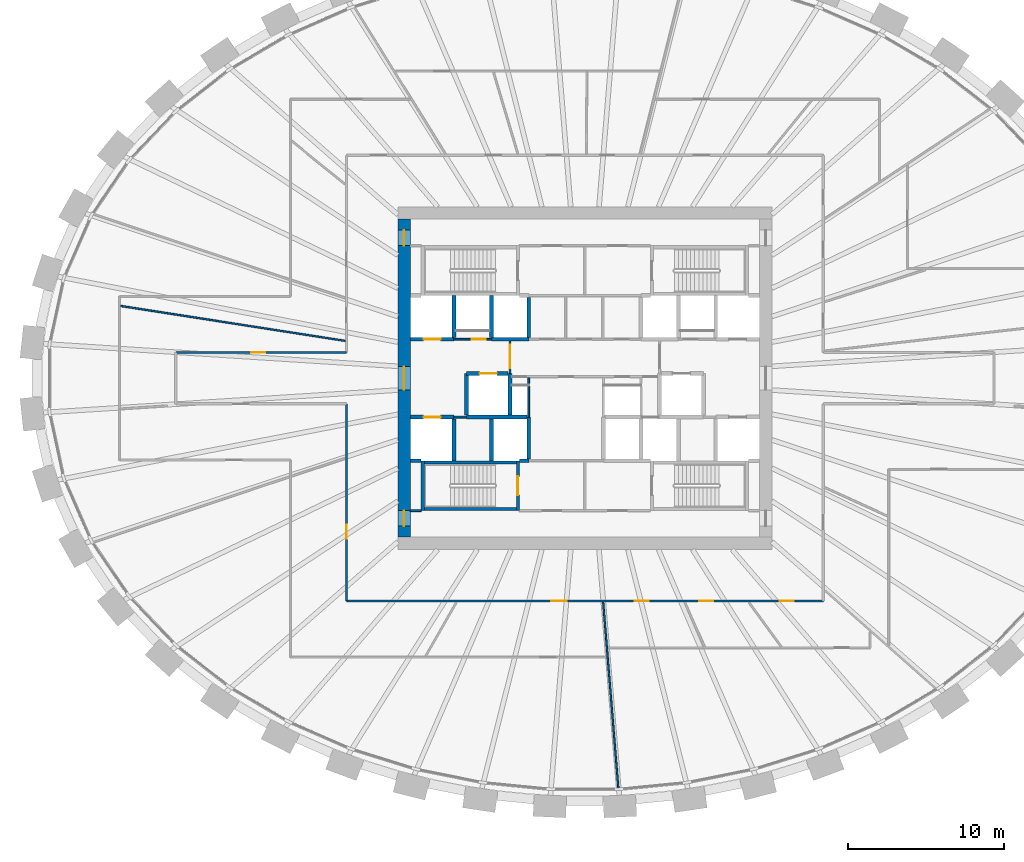
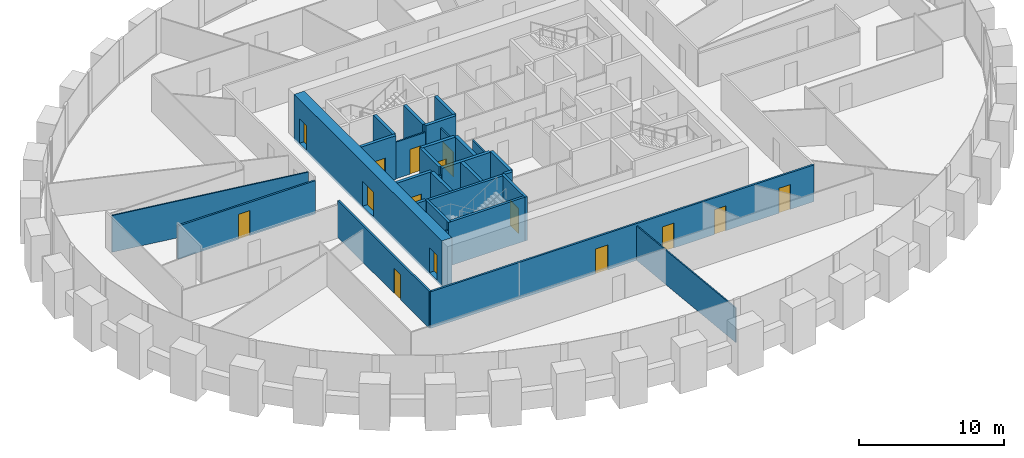
# One storey, part 6 of 11: 30 walls, 15 doors, 15 openings.
"""IFC4 building model written with IfcOpenShell, lengths in metres."""

from ifc_helpers import new_model, si_unit, direction, frame, frame_2d, origin, place, context, subcontext, project, spatial, rectangle, extrude, source, transform, mapped, material, layer, layer_set, type_object, element, fill, save


model = new_model("IFC4")

# Units and contexts
model_context = context("Model", 3, precision=1e-05, world=origin(), true_north=direction((0.0, 1.0)))
body_context = subcontext(model_context, "Body", "Model", "MODEL_VIEW")
ifc_project = project(units=[si_unit("LENGTHUNIT", "METRE"), si_unit("AREAUNIT", "SQUARE_METRE"), si_unit("VOLUMEUNIT", "CUBIC_METRE"), si_unit("PLANEANGLEUNIT", "RADIAN"), si_unit("MASSUNIT", "GRAM", prefix="KILO")], contexts=[model_context])

# Site, building, storey
site_placement = place(None, origin())
site = spatial("IfcSite", under=ifc_project, at=site_placement, CompositionType="ELEMENT")
building_placement = place(site_placement, origin())
building = spatial("IfcBuilding", under=site, at=building_placement, Name="Embergate Tower", CompositionType="ELEMENT")
storey_placement = place(building_placement, frame((0.0, 0.0, 211.199951171875)))
storey = spatial("IfcBuildingStorey", under=building, at=storey_placement, Name="L48", CompositionType="ELEMENT", Elevation=211.199951171875)

# Wall, openings, doors
ifc_material_1 = material(Name="Concrete C70", Category="concrete")
ifc_layer_1 = layer(ifc_material_1, 0.800048828125)
ifc_layer_set_1 = layer_set([ifc_layer_1], Name="Concrete C70")
wall_type_1 = type_object("IfcWallType", Name="Core outer wall C70 800", PredefinedType="SHEAR", material=ifc_layer_set_1)
shared_shape_1 = source(origin(), body_context, "Body", "SweptSolid", [
    extrude(rectangle(XDim=20.39990234375, YDim=0.800048828125, at=frame_2d((10.199951171875, 0.0))), origin(), (0.0, 0.0, 1.0), 3.89990234375),
])
wall_1_placement = place(storey_placement, frame((-11.60009765625, -10.199951171875, -0.199951171875), z_axis=(0.0, 0.0, 1.0), x_axis=(0.0, 1.0, 0.0)))
wall_1 = element("IfcWall", 1, at=wall_1_placement, inside=storey, type_object=wall_type_1, Name="CW-L48-W", PredefinedType="SHEAR", context=body_context, shape_type="MappedRepresentation", body=[
    mapped(shared_shape_1, transform((0.0, 0.0, 0.0))),
])
shared_shape_2 = source(origin(), body_context, "Body", "SweptSolid", [
    extrude(rectangle(XDim=1.0, YDim=2.10009765625, at=frame_2d((0.5, 1.050048828125))), frame((0.0, 0.409912109375, 0.0), z_axis=(0.0, -1.0, 0.0), x_axis=(1.0, 0.0, 0.0)), (0.0, 0.0, 1.0), 0.820068359375),
])
opening_1_placement = place(wall_1_placement, frame((18.699951171875, 0.0, 0.199951171875)))
opening_1 = element("IfcOpeningElement", 2, at=opening_1_placement, cuts=wall_1, Name="Opening IF-1d", PredefinedType="OPENING", context=body_context, shape_type="MappedRepresentation", body=[
    mapped(shared_shape_2, transform((0.0, 0.0, 0.0))),
])
opening_2_placement = place(wall_1_placement, frame((0.699951171875, 0.0, 0.199951171875)))
opening_2 = element("IfcOpeningElement", 3, at=opening_2_placement, cuts=wall_1, Name="Opening IF-1d", PredefinedType="OPENING", context=body_context, shape_type="MappedRepresentation", body=[
    mapped(shared_shape_2, transform((0.0, 0.0, 0.0))),
])
shared_shape_3 = source(origin(), body_context, "Body", "SweptSolid", [
    extrude(rectangle(XDim=1.5, YDim=2.10009765625, at=frame_2d((0.75, 1.050048828125))), frame((0.0, 0.409912109375, 0.0), z_axis=(0.0, -1.0, 0.0), x_axis=(1.0, 0.0, 0.0)), (0.0, 0.0, 1.0), 0.820068359375),
])
opening_3_placement = place(wall_1_placement, frame((9.449951171875, 0.0, 0.199951171875)))
opening_3 = element("IfcOpeningElement", 4, at=opening_3_placement, cuts=wall_1, Name="Opening IF-3", PredefinedType="OPENING", context=body_context, shape_type="MappedRepresentation", body=[
    mapped(shared_shape_3, transform((0.0, 0.0, 0.0))),
])
ifc_material_2 = material(Name="Lobby fire door pair 1500")
door_type_1 = type_object("IfcDoorType", Name="Lobby fire door pair 1500", OperationType="DOUBLE_DOOR_SINGLE_SWING", PredefinedType="DOOR", material=ifc_material_2)
shared_shape_4 = source(origin(), body_context, "Body", "SweptSolid", [
    extrude(rectangle(XDim=1.5, YDim=2.10009765625, at=frame_2d((0.75, 1.050048828125))), frame((0.0, 0.02490234375, 0.0), z_axis=(0.0, -1.0, 0.0), x_axis=(1.0, 0.0, 0.0)), (0.0, 0.0, 1.0), 0.050048828125),
])
door_1_placement = place(opening_3_placement, origin())
door_1 = element("IfcDoor", 5, at=door_1_placement, inside=storey, type_object=door_type_1, Name="IF-3 door", OperationType="DOUBLE_DOOR_SINGLE_SWING", OverallHeight=2.10009765625, OverallWidth=1.5, PredefinedType="DOOR", context=body_context, shape_type="MappedRepresentation", body=[
    mapped(shared_shape_4, transform((0.0, 0.0, 0.0))),
])
fill(opening_3, door_1)
ifc_material_3 = material(Name="Escape fire door 1000")
door_type_2 = type_object("IfcDoorType", Name="Escape fire door 1000", OperationType="SINGLE_SWING_LEFT", PredefinedType="DOOR", material=ifc_material_3)
shared_shape_5 = source(origin(), body_context, "Body", "SweptSolid", [
    extrude(rectangle(XDim=1.0, YDim=2.10009765625, at=frame_2d((0.5, 1.050048828125))), frame((0.0, 0.02490234375, 0.0), z_axis=(0.0, -1.0, 0.0), x_axis=(1.0, 0.0, 0.0)), (0.0, 0.0, 1.0), 0.050048828125),
])
door_2_placement = place(opening_1_placement, origin())
door_2 = element("IfcDoor", 6, at=door_2_placement, inside=storey, type_object=door_type_2, Name="IF-1 door", OperationType="SINGLE_SWING_RIGHT", OverallHeight=2.10009765625, OverallWidth=1.0, PredefinedType="DOOR", context=body_context, shape_type="MappedRepresentation", body=[
    mapped(shared_shape_5, transform((0.0, 0.0, 0.0))),
])
fill(opening_1, door_2)
door_3_placement = place(opening_2_placement, origin())
door_3 = element("IfcDoor", 7, at=door_3_placement, inside=storey, type_object=door_type_2, Name="IF-1 door", OperationType="SINGLE_SWING_LEFT", OverallHeight=2.10009765625, OverallWidth=1.0, PredefinedType="DOOR", context=body_context, shape_type="MappedRepresentation", body=[
    mapped(shared_shape_5, transform((0.0, 0.0, 0.0))),
])
fill(opening_2, door_3)

# Walls
ifc_material_4 = material(Name="Concrete C50", Category="concrete")
ifc_layer_2 = layer(ifc_material_4, 0.25)
ifc_layer_set_2 = layer_set([ifc_layer_2], Name="Concrete C50")
wall_type_2 = type_object("IfcWallType", Name="Hoistway wall reinforced concrete 250", PredefinedType="SHEAR", material=ifc_layer_set_2)
shared_shape_6 = source(origin(), body_context, "Body", "SweptSolid", [
    extrude(rectangle(XDim=2.675048828125, YDim=0.25, at=frame_2d((1.33740234375, 0.0))), origin(), (0.0, 0.0, 1.0), 3.699951171875),
])
for number, where, z_axis, x_axis, name in (
    (8, (-8.39990234375, 2.625, 0.0), (0.0, 0.0, 1.0), (0.0, 1.0, 0.0), "HW-1 wall"),
    (9, (-6.0, 2.625, 0.0), (0.0, 0.0, 1.0), (0.0, 1.0, 0.0), "HW-1 wall"),
    (10, (-3.60009765625, -5.175048828125, 0.0), (0.0, 0.0, 1.0), (0.0, 1.0, 0.0), "HW-1 wall"),
    (11, (-4.800048828125, 0.300048828125, 0.0), (0.0, 0.0, 1.0), (0.0, -1.0, 0.0), "HW-1 wall"),
):
    element("IfcWall", number, at=place(storey_placement, frame(where, z_axis=z_axis, x_axis=x_axis)), inside=storey, type_object=wall_type_2, Name=name, PredefinedType="SHEAR", context=body_context, shape_type="MappedRepresentation", body=[
        mapped(shared_shape_6, transform((0.0, 0.0, 0.0))),
    ])

# Wall, opening, door
wall_2_placement = place(storey_placement, frame((-4.925048828125, 0.300048828125, 0.0), z_axis=(0.0, 0.0, 1.0), x_axis=(-1.0, 0.0, 0.0)))
wall_2 = element("IfcWall", 12, at=wall_2_placement, inside=storey, type_object=wall_type_2, Name="HW-1 wall", PredefinedType="SHEAR", context=body_context, shape_type="MappedRepresentation", body=[
    mapped(shared_shape_6, transform((0.0, 0.0, 0.0))),
])
shared_shape_7 = source(origin(), body_context, "Body", "SweptSolid", [
    extrude(rectangle(XDim=1.10009765625, YDim=2.10009765625, at=frame_2d((0.550048828125, 1.050048828125))), frame((0.0, 0.135009765625, 0.0), z_axis=(0.0, -1.0, 0.0), x_axis=(1.0, 0.0, 0.0)), (0.0, 0.0, 1.0), 0.27001953125),
])
opening_4_placement = place(wall_2_placement, frame((0.72509765625, 0.0, 0.0)))
opening_4 = element("IfcOpeningElement", 13, at=opening_4_placement, cuts=wall_2, Name="Opening LD", PredefinedType="OPENING", context=body_context, shape_type="MappedRepresentation", body=[
    mapped(shared_shape_7, transform((0.0, 0.0, 0.0))),
])
ifc_material_5 = material(Name="Landing door sliding 1100")
door_type_3 = type_object("IfcDoorType", Name="Landing door sliding 1100", OperationType="SLIDING_TO_LEFT", PredefinedType="DOOR", material=ifc_material_5)
shared_shape_8 = source(origin(), body_context, "Body", "SweptSolid", [
    extrude(rectangle(XDim=1.10009765625, YDim=2.10009765625, at=frame_2d((0.550048828125, 1.050048828125))), frame((0.0, 0.02490234375, 0.0), z_axis=(0.0, -1.0, 0.0), x_axis=(1.0, 0.0, 0.0)), (0.0, 0.0, 1.0), 0.050048828125),
])
door_4_placement = place(opening_4_placement, origin())
door_4 = element("IfcDoor", 14, at=door_4_placement, inside=storey, type_object=door_type_3, Name="LD door", OperationType="SLIDING_TO_LEFT", OverallHeight=2.10009765625, OverallWidth=1.10009765625, PredefinedType="DOOR", context=body_context, shape_type="MappedRepresentation", body=[
    mapped(shared_shape_8, transform((0.0, 0.0, 0.0))),
])
fill(opening_4, door_4)

# Walls
wall_3_placement = place(storey_placement, frame((-7.60009765625, 0.300048828125, 0.0), z_axis=(0.0, 0.0, 1.0), x_axis=(0.0, -1.0, 0.0)))
element("IfcWall", 15, at=wall_3_placement, inside=storey, type_object=wall_type_2, Name="HW-1 wall", PredefinedType="SHEAR", context=body_context, shape_type="MappedRepresentation", body=[
    mapped(shared_shape_6, transform((0.0, 0.0, 0.0))),
])
ifc_layer_3 = layer(ifc_material_4, 0.199951171875)
ifc_layer_set_3 = layer_set([ifc_layer_3], Name="Concrete C50")
wall_type_3 = type_object("IfcWallType", Name="Stair enclosure wall reinforced concrete 250", PredefinedType="SHEAR", material=ifc_layer_set_3)
shared_shape_9 = source(origin(), body_context, "Body", "SweptSolid", [
    extrude(rectangle(XDim=6.300048828125, YDim=0.199951171875, at=frame_2d((3.14990234375, 0.0))), origin(), (0.0, 0.0, 1.0), 3.699951171875),
])
for number, where, z_axis, x_axis, name in (
    (16, (-10.5, -5.39990234375, 0.0), (0.0, 0.0, 1.0), (1.0, 0.0, 0.0), "SE-1 wall"),
    (17, (-10.5, -8.39990234375, 0.0), (0.0, 0.0, 1.0), (1.0, 0.0, 0.0), "SE-1 wall"),
):
    element("IfcWall", number, at=place(storey_placement, frame(where, z_axis=z_axis, x_axis=x_axis)), inside=storey, type_object=wall_type_3, Name=name, PredefinedType="SHEAR", context=body_context, shape_type="MappedRepresentation", body=[
        mapped(shared_shape_9, transform((0.0, 0.0, 0.0))),
    ])
shared_shape_10 = source(origin(), body_context, "Body", "SweptSolid", [
    extrude(rectangle(XDim=2.550048828125, YDim=0.25, at=frame_2d((1.27490234375, 0.0))), origin(), (0.0, 0.0, 1.0), 3.699951171875),
])
wall_4_placement = place(storey_placement, frame((-3.60009765625, 2.625, 0.0), z_axis=(0.0, 0.0, 1.0), x_axis=(0.0, 1.0, 0.0)))
element("IfcWall", 18, at=wall_4_placement, inside=storey, type_object=wall_type_2, Name="HW-1 wall", PredefinedType="SHEAR", context=body_context, shape_type="MappedRepresentation", body=[
    mapped(shared_shape_10, transform((0.0, 0.0, 0.0))),
])

# Wall, opening, door
ifc_material_6 = material(Name="Core partition blockwork 120")
ifc_layer_4 = layer(ifc_material_6, 0.1201171875)
ifc_layer_set_4 = layer_set([ifc_layer_4], Name="Core partition blockwork 120")
wall_type_4 = type_object("IfcWallType", Name="Core partition blockwork 120", PredefinedType="PARTITIONING", material=ifc_layer_set_4)
shared_shape_11 = source(origin(), body_context, "Body", "SweptSolid", [
    extrude(rectangle(XDim=2.074951171875, YDim=0.1201171875, at=frame_2d((1.03759765625, 0.0))), origin(), (0.0, 0.0, 1.0), 3.10009765625),
])
wall_5_placement = place(storey_placement, frame((-4.800048828125, 2.375, 0.0), z_axis=(0.0, 0.0, 1.0), x_axis=(0.0, -1.0, 0.0)))
wall_5 = element("IfcWall", 19, at=wall_5_placement, inside=storey, type_object=wall_type_4, Name="IP-3 wall", PredefinedType="PARTITIONING", context=body_context, shape_type="MappedRepresentation", body=[
    mapped(shared_shape_11, transform((0.0, 0.0, 0.0))),
])
shared_shape_12 = source(origin(), body_context, "Body", "SweptSolid", [
    extrude(rectangle(XDim=1.5, YDim=2.10009765625, at=frame_2d((0.75, 1.050048828125))), frame((0.0, 0.070068359375, 0.0), z_axis=(0.0, -1.0, 0.0), x_axis=(1.0, 0.0, 0.0)), (0.0, 0.0, 1.0), 0.14013671875),
])
opening_5_placement = place(wall_5_placement, frame((0.22509765625, 0.0, 0.0)))
opening_5 = element("IfcOpeningElement", 20, at=opening_5_placement, cuts=wall_5, Name="Opening IF-3", PredefinedType="OPENING", context=body_context, shape_type="MappedRepresentation", body=[
    mapped(shared_shape_12, transform((0.0, 0.0, 0.0))),
])
door_5_placement = place(opening_5_placement, origin())
door_5 = element("IfcDoor", 21, at=door_5_placement, inside=storey, type_object=door_type_1, Name="IF-3 door", OperationType="DOUBLE_DOOR_SINGLE_SWING", OverallHeight=2.10009765625, OverallWidth=1.5, PredefinedType="DOOR", context=body_context, shape_type="MappedRepresentation", body=[
    mapped(shared_shape_4, transform((0.0, 0.0, 0.0))),
])
fill(opening_5, door_5)

shared_shape_13 = source(origin(), body_context, "Body", "SweptSolid", [
    extrude(rectangle(XDim=3.199951171875, YDim=0.199951171875, at=frame_2d((1.60009765625, 0.0))), origin(), (0.0, 0.0, 1.0), 3.699951171875),
])
wall_6_placement = place(storey_placement, frame((-4.300048828125, -8.5, 0.0), z_axis=(0.0, 0.0, 1.0), x_axis=(0.0, 1.0, 0.0)))
wall_6 = element("IfcWall", 22, at=wall_6_placement, inside=storey, type_object=wall_type_3, Name="SE-1 wall", PredefinedType="SHEAR", context=body_context, shape_type="MappedRepresentation", body=[
    mapped(shared_shape_13, transform((0.0, 0.0, 0.0))),
])
shared_shape_14 = source(origin(), body_context, "Body", "SweptSolid", [
    extrude(rectangle(XDim=1.199951171875, YDim=2.10009765625, at=frame_2d((0.60009765625, 1.050048828125))), frame((0.0, 0.10986328125, 0.0), z_axis=(0.0, -1.0, 0.0), x_axis=(1.0, 0.0, 0.0)), (0.0, 0.0, 1.0), 0.219970703125),
])
opening_6_placement = place(wall_6_placement, frame((1.0, 0.0, 0.0)))
opening_6 = element("IfcOpeningElement", 23, at=opening_6_placement, cuts=wall_6, Name="Opening IF-2", PredefinedType="OPENING", context=body_context, shape_type="MappedRepresentation", body=[
    mapped(shared_shape_14, transform((0.0, 0.0, 0.0))),
])
ifc_material_7 = material(Name="Stair enclosure door 1200")
door_type_4 = type_object("IfcDoorType", Name="Stair enclosure door 1200", OperationType="SINGLE_SWING_LEFT", PredefinedType="DOOR", material=ifc_material_7)
shared_shape_15 = source(origin(), body_context, "Body", "SweptSolid", [
    extrude(rectangle(XDim=1.199951171875, YDim=2.10009765625, at=frame_2d((0.60009765625, 1.050048828125))), frame((0.0, 0.02490234375, 0.0), z_axis=(0.0, -1.0, 0.0), x_axis=(1.0, 0.0, 0.0)), (0.0, 0.0, 1.0), 0.050048828125),
])
door_6_placement = place(opening_6_placement, origin())
door_6 = element("IfcDoor", 24, at=door_6_placement, inside=storey, type_object=door_type_4, Name="IF-2 door", OperationType="SINGLE_SWING_LEFT", OverallHeight=2.10009765625, OverallWidth=1.199951171875, PredefinedType="DOOR", context=body_context, shape_type="MappedRepresentation", body=[
    mapped(shared_shape_15, transform((0.0, 0.0, 0.0))),
])
fill(opening_6, door_6)

# Wall
shared_shape_16 = source(origin(), body_context, "Body", "SweptSolid", [
    extrude(rectangle(XDim=2.39990234375, YDim=0.25, at=frame_2d((1.199951171875, 0.0))), origin(), (0.0, 0.0, 1.0), 3.699951171875),
])
wall_7_placement = place(storey_placement, frame((-6.0, 2.5, 0.0), z_axis=(0.0, 0.0, 1.0), x_axis=(1.0, 0.0, 0.0)))
element("IfcWall", 25, at=wall_7_placement, inside=storey, type_object=wall_type_2, Name="HW-1 wall", PredefinedType="SHEAR", context=body_context, shape_type="MappedRepresentation", body=[
    mapped(shared_shape_16, transform((0.0, 0.0, 0.0))),
])

# Wall, opening, door
ifc_material_8 = material(Name="Corridor wall dry-lined 150")
ifc_layer_5 = layer(ifc_material_8, 0.14990234375)
ifc_layer_set_5 = layer_set([ifc_layer_5], Name="Corridor wall dry-lined 150")
wall_type_5 = type_object("IfcWallType", Name="Corridor wall dry-lined 150", PredefinedType="PARTITIONING", material=ifc_layer_set_5)
shared_shape_17 = source(origin(), body_context, "Body", "SweptSolid", [
    extrude(rectangle(XDim=10.949951171875, YDim=0.14990234375, at=frame_2d((5.47509765625, 0.0))), origin(), (0.0, 0.0, 1.0), 2.800048828125),
])
wall_8_placement = place(storey_placement, frame((-15.300048828125, 1.64990234375, 0.0), z_axis=(0.0, 0.0, 1.0), x_axis=(-1.0, 0.0, 0.0)))
wall_8 = element("IfcWall", 26, at=wall_8_placement, inside=storey, type_object=wall_type_5, Name="IP-2 wall", PredefinedType="PARTITIONING", context=body_context, shape_type="MappedRepresentation", body=[
    mapped(shared_shape_17, transform((0.0, 0.0, 0.0))),
])
shared_shape_18 = source(origin(), body_context, "Body", "SweptSolid", [
    extrude(rectangle(XDim=0.89990234375, YDim=2.10009765625, at=frame_2d((0.449951171875, 1.050048828125))), frame((0.0, 0.0849609375, 0.0), z_axis=(0.0, -1.0, 0.0), x_axis=(1.0, 0.0, 0.0)), (0.0, 0.0, 1.0), 0.169921875),
])
opening_7_placement = place(wall_8_placement, frame((5.214111328125, 0.0, 0.0)))
opening_7 = element("IfcOpeningElement", 27, at=opening_7_placement, cuts=wall_8, Name="Opening IF-1c", PredefinedType="OPENING", context=body_context, shape_type="MappedRepresentation", body=[
    mapped(shared_shape_18, transform((0.0, 0.0, 0.0))),
])
ifc_material_9 = material(Name="Escape fire door 900")
door_type_5 = type_object("IfcDoorType", Name="Escape fire door 900", OperationType="SINGLE_SWING_LEFT", PredefinedType="DOOR", material=ifc_material_9)
shared_shape_19 = source(origin(), body_context, "Body", "SweptSolid", [
    extrude(rectangle(XDim=0.89990234375, YDim=2.10009765625, at=frame_2d((0.449951171875, 1.050048828125))), frame((0.0, 0.02490234375, 0.0), z_axis=(0.0, -1.0, 0.0), x_axis=(1.0, 0.0, 0.0)), (0.0, 0.0, 1.0), 0.050048828125),
])
door_7_placement = place(opening_7_placement, origin())
door_7 = element("IfcDoor", 28, at=door_7_placement, inside=storey, type_object=door_type_5, Name="IF-1 door", OperationType="SINGLE_SWING_LEFT", OverallHeight=2.10009765625, OverallWidth=0.89990234375, PredefinedType="DOOR", context=body_context, shape_type="MappedRepresentation", body=[
    mapped(shared_shape_19, transform((0.0, 0.0, 0.0))),
])
fill(opening_7, door_7)

shared_shape_20 = source(origin(), body_context, "Body", "SweptSolid", [
    extrude(rectangle(XDim=2.800048828125, YDim=0.25, at=frame_2d((1.39990234375, 0.0))), origin(), (0.0, 0.0, 1.0), 3.699951171875),
])
wall_9_placement = place(storey_placement, frame((-11.199951171875, 2.5, 0.0), z_axis=(0.0, 0.0, 1.0), x_axis=(1.0, 0.0, 0.0)))
wall_9 = element("IfcWall", 29, at=wall_9_placement, inside=storey, type_object=wall_type_2, Name="HW-1 wall", PredefinedType="SHEAR", context=body_context, shape_type="MappedRepresentation", body=[
    mapped(shared_shape_20, transform((0.0, 0.0, 0.0))),
])
opening_8_placement = place(wall_9_placement, frame((0.85009765625, 0.0, 0.0)))
opening_8 = element("IfcOpeningElement", 30, at=opening_8_placement, cuts=wall_9, Name="Opening LD", PredefinedType="OPENING", context=body_context, shape_type="MappedRepresentation", body=[
    mapped(shared_shape_7, transform((0.0, 0.0, 0.0))),
])
door_8_placement = place(opening_8_placement, origin())
door_8 = element("IfcDoor", 31, at=door_8_placement, inside=storey, type_object=door_type_3, Name="LD door", OperationType="SLIDING_TO_RIGHT", OverallHeight=2.10009765625, OverallWidth=1.10009765625, PredefinedType="DOOR", context=body_context, shape_type="MappedRepresentation", body=[
    mapped(shared_shape_8, transform((0.0, 0.0, 0.0))),
])
fill(opening_8, door_8)

wall_10_placement = place(storey_placement, frame((-8.39990234375, -2.5, 0.0), z_axis=(0.0, 0.0, 1.0), x_axis=(-1.0, 0.0, 0.0)))
wall_10 = element("IfcWall", 32, at=wall_10_placement, inside=storey, type_object=wall_type_2, Name="HW-1 wall", PredefinedType="SHEAR", context=body_context, shape_type="MappedRepresentation", body=[
    mapped(shared_shape_20, transform((0.0, 0.0, 0.0))),
])
opening_9_placement = place(wall_10_placement, frame((0.85009765625, 0.0, 0.0)))
opening_9 = element("IfcOpeningElement", 33, at=opening_9_placement, cuts=wall_10, Name="Opening LD", PredefinedType="OPENING", context=body_context, shape_type="MappedRepresentation", body=[
    mapped(shared_shape_7, transform((0.0, 0.0, 0.0))),
])
door_9_placement = place(opening_9_placement, origin())
door_9 = element("IfcDoor", 34, at=door_9_placement, inside=storey, type_object=door_type_3, Name="LD door", OperationType="SLIDING_TO_LEFT", OverallHeight=2.10009765625, OverallWidth=1.10009765625, PredefinedType="DOOR", context=body_context, shape_type="MappedRepresentation", body=[
    mapped(shared_shape_8, transform((0.0, 0.0, 0.0))),
])
fill(opening_9, door_9)

shared_shape_21 = source(origin(), body_context, "Body", "SweptSolid", [
    extrude(rectangle(XDim=2.39990234375, YDim=0.1201171875, at=frame_2d((1.199951171875, 0.0))), origin(), (0.0, 0.0, 1.0), 3.10009765625),
])
wall_11_placement = place(storey_placement, frame((-8.39990234375, 2.5, 0.0), z_axis=(0.0, 0.0, 1.0), x_axis=(1.0, 0.0, 0.0)))
wall_11 = element("IfcWall", 35, at=wall_11_placement, inside=storey, type_object=wall_type_4, Name="IP-3 wall", PredefinedType="PARTITIONING", context=body_context, shape_type="MappedRepresentation", body=[
    mapped(shared_shape_21, transform((0.0, 0.0, 0.0))),
])
shared_shape_22 = source(origin(), body_context, "Body", "SweptSolid", [
    extrude(rectangle(XDim=0.89990234375, YDim=2.10009765625, at=frame_2d((0.449951171875, 1.050048828125))), frame((0.0, 0.070068359375, 0.0), z_axis=(0.0, -1.0, 0.0), x_axis=(1.0, 0.0, 0.0)), (0.0, 0.0, 1.0), 0.14013671875),
])
opening_10_placement = place(wall_11_placement, frame((1.14990234375, 0.0, 0.0)))
opening_10 = element("IfcOpeningElement", 36, at=opening_10_placement, cuts=wall_11, Name="Opening ID-1", PredefinedType="OPENING", context=body_context, shape_type="MappedRepresentation", body=[
    mapped(shared_shape_22, transform((0.0, 0.0, 0.0))),
])
ifc_material_10 = material(Name="Interior door 900")
door_type_6 = type_object("IfcDoorType", Name="Interior door 900", OperationType="SINGLE_SWING_LEFT", PredefinedType="DOOR", material=ifc_material_10)
door_10_placement = place(opening_10_placement, origin())
door_10 = element("IfcDoor", 37, at=door_10_placement, inside=storey, type_object=door_type_6, Name="ID-1 door", OperationType="SINGLE_SWING_LEFT", OverallHeight=2.10009765625, OverallWidth=0.89990234375, PredefinedType="DOOR", context=body_context, shape_type="MappedRepresentation", body=[
    mapped(shared_shape_19, transform((0.0, 0.0, 0.0))),
])
fill(opening_10, door_10)

# Walls
shared_shape_23 = source(origin(), body_context, "Body", "SweptSolid", [
    extrude(rectangle(XDim=0.599853515625, YDim=0.25, at=frame_2d((0.2998046875, 0.0))), origin(), (0.0, 0.0, 1.0), 3.699951171875),
])
wall_12_placement = place(storey_placement, frame((-4.199951171875, -5.300048828125, 0.0), z_axis=(0.0, 0.0, 1.0), x_axis=(1.0, 0.0, 0.0)))
element("IfcWall", 38, at=wall_12_placement, inside=storey, type_object=wall_type_2, Name="HW-1 wall", PredefinedType="SHEAR", context=body_context, shape_type="MappedRepresentation", body=[
    mapped(shared_shape_23, transform((0.0, 0.0, 0.0))),
])
shared_shape_24 = source(origin(), body_context, "Body", "SweptSolid", [
    extrude(rectangle(XDim=3.872802734375, YDim=0.25, at=frame_2d((1.9365234375, 0.0))), origin(), (0.0, 0.0, 1.0), 3.699951171875),
])
wall_13_placement = place(storey_placement, frame((-3.72509765625, -2.5, 0.0), z_axis=(0.0, 0.0, 1.0), x_axis=(-1.0, 0.0, 0.0)))
element("IfcWall", 39, at=wall_13_placement, inside=storey, type_object=wall_type_2, Name="HW-1 wall", PredefinedType="SHEAR", context=body_context, shape_type="MappedRepresentation", body=[
    mapped(shared_shape_24, transform((0.0, 0.0, 0.0))),
])
shared_shape_25 = source(origin(), body_context, "Body", "SweptSolid", [
    extrude(rectangle(XDim=2.5400390625, YDim=0.1201171875, at=frame_2d((1.27001953125, 0.0))), origin(), (0.0, 0.0, 1.0), 3.10009765625),
])
wall_14_placement = place(storey_placement, frame((-3.60009765625, -2.5, 0.0), z_axis=(0.0, 0.0, 1.0), x_axis=(0.0, 1.0, 0.0)))
element("IfcWall", 40, at=wall_14_placement, inside=storey, type_object=wall_type_4, Name="IP-3 wall", PredefinedType="PARTITIONING", context=body_context, shape_type="MappedRepresentation", body=[
    mapped(shared_shape_25, transform((0.0, 0.0, 0.0))),
])
shared_shape_26 = source(origin(), body_context, "Body", "SweptSolid", [
    extrude(rectangle(XDim=3.196044921875, YDim=0.199951171875, at=frame_2d((1.59814453125, 0.0))), origin(), (0.0, 0.0, 1.0), 3.699951171875),
])
wall_15_placement = place(storey_placement, frame((-10.39990234375, -5.302001953125, 0.0), z_axis=(0.0, 0.0, 1.0), x_axis=(0.0, -1.0, 0.0)))
element("IfcWall", 41, at=wall_15_placement, inside=storey, type_object=wall_type_3, Name="SE-1 wall", PredefinedType="SHEAR", context=body_context, shape_type="MappedRepresentation", body=[
    mapped(shared_shape_26, transform((0.0, 0.0, 0.0))),
])
shared_shape_27 = source(origin(), body_context, "Body", "SweptSolid", [
    extrude(rectangle(XDim=0.697998046875, YDim=0.25, at=frame_2d((0.34912109375, 0.0))), origin(), (0.0, 0.0, 1.0), 3.699951171875),
])
wall_16_placement = place(storey_placement, frame((-11.199951171875, -5.300048828125, 0.0), z_axis=(0.0, 0.0, 1.0), x_axis=(1.0, 0.0, 0.0)))
element("IfcWall", 42, at=wall_16_placement, inside=storey, type_object=wall_type_2, Name="HW-1 wall", PredefinedType="SHEAR", context=body_context, shape_type="MappedRepresentation", body=[
    mapped(shared_shape_27, transform((0.0, 0.0, 0.0))),
])
shared_shape_28 = source(origin(), body_context, "Body", "SweptSolid", [
    extrude(rectangle(XDim=2.671142578125, YDim=0.25, at=frame_2d((1.33544921875, 0.0))), origin(), (0.0, 0.0, 1.0), 3.699951171875),
])
for number, where, z_axis, x_axis, name in (
    (43, (-8.39990234375, -5.298095703125, 0.0), (0.0, 0.0, 1.0), (0.0, 1.0, 0.0), "HW-1 wall"),
    (44, (-6.0, -2.626953125, 0.0), (0.0, 0.0, 1.0), (0.0, -1.0, 0.0), "HW-1 wall"),
):
    element("IfcWall", number, at=place(storey_placement, frame(where, z_axis=z_axis, x_axis=x_axis)), inside=storey, type_object=wall_type_2, Name=name, PredefinedType="SHEAR", context=body_context, shape_type="MappedRepresentation", body=[
        mapped(shared_shape_28, transform((0.0, 0.0, 0.0))),
    ])
shared_shape_29 = source(origin(), body_context, "Body", "SweptSolid", [
    extrude(rectangle(XDim=0.7958984375, YDim=0.1201171875, at=frame_2d((0.39794921875, 0.0))), origin(), (0.0, 0.0, 1.0), 3.10009765625),
])
wall_17_placement = place(storey_placement, frame((-8.39794921875, -2.5, 0.0), z_axis=(0.0, 0.0, 1.0), x_axis=(1.0, 0.0, 0.0)))
element("IfcWall", 45, at=wall_17_placement, inside=storey, type_object=wall_type_4, Name="IP-3 wall", PredefinedType="PARTITIONING", context=body_context, shape_type="MappedRepresentation", body=[
    mapped(shared_shape_29, transform((0.0, 0.0, 0.0))),
])
shared_shape_30 = source(origin(), body_context, "Body", "SweptSolid", [
    extrude(rectangle(XDim=0.697998046875, YDim=0.1201171875, at=frame_2d((0.34912109375, 0.0))), origin(), (0.0, 0.0, 1.0), 3.10009765625),
])
wall_18_placement = place(storey_placement, frame((-10.501953125, -8.5, 0.0), z_axis=(0.0, 0.0, 1.0), x_axis=(-1.0, 0.0, 0.0)))
element("IfcWall", 46, at=wall_18_placement, inside=storey, type_object=wall_type_4, Name="IP-3 wall", PredefinedType="PARTITIONING", context=body_context, shape_type="MappedRepresentation", body=[
    mapped(shared_shape_30, transform((0.0, 0.0, 0.0))),
])

# Wall, openings, doors
shared_shape_31 = source(origin(), body_context, "Body", "SweptSolid", [
    extrude(rectangle(XDim=30.60009765625, YDim=0.14990234375, at=frame_2d((15.300048828125, 0.0))), origin(), (0.0, 0.0, 1.0), 3.10009765625),
])
wall_19_placement = place(storey_placement, frame((15.300048828125, -14.300048828125, 0.0), z_axis=(0.0, 0.0, 1.0), x_axis=(-1.0, 0.0, 0.0)))
wall_19 = element("IfcWall", 47, at=wall_19_placement, inside=storey, type_object=wall_type_5, Name="IP-2 wall", PredefinedType="PARTITIONING", context=body_context, shape_type="MappedRepresentation", body=[
    mapped(shared_shape_31, transform((0.0, 0.0, 0.0))),
])
shared_shape_32 = source(origin(), body_context, "Body", "SweptSolid", [
    extrude(rectangle(XDim=1.0, YDim=2.10009765625, at=frame_2d((0.5, 1.050048828125))), frame((0.0, 0.0849609375, 0.0), z_axis=(0.0, -1.0, 0.0), x_axis=(1.0, 0.0, 0.0)), (0.0, 0.0, 1.0), 0.169921875),
])
opening_11_placement = place(wall_19_placement, frame((16.448974609375, 0.0, 0.0)))
opening_11 = element("IfcOpeningElement", 48, at=opening_11_placement, cuts=wall_19, Name="Opening ID-2", PredefinedType="OPENING", context=body_context, shape_type="MappedRepresentation", body=[
    mapped(shared_shape_32, transform((0.0, 0.0, 0.0))),
])
opening_12_placement = place(wall_19_placement, frame((11.18994140625, 0.0, 0.0)))
opening_12 = element("IfcOpeningElement", 49, at=opening_12_placement, cuts=wall_19, Name="Opening IF-1c", PredefinedType="OPENING", context=body_context, shape_type="MappedRepresentation", body=[
    mapped(shared_shape_18, transform((0.0, 0.0, 0.0))),
])
opening_13_placement = place(wall_19_placement, frame((7.052001953125, 0.0, 0.0)))
opening_13 = element("IfcOpeningElement", 50, at=opening_13_placement, cuts=wall_19, Name="Opening IF-1c", PredefinedType="OPENING", context=body_context, shape_type="MappedRepresentation", body=[
    mapped(shared_shape_18, transform((0.0, 0.0, 0.0))),
])
opening_14_placement = place(wall_19_placement, frame((1.89990234375, 0.0, 0.0)))
opening_14 = element("IfcOpeningElement", 51, at=opening_14_placement, cuts=wall_19, Name="Opening IF-1c", PredefinedType="OPENING", context=body_context, shape_type="MappedRepresentation", body=[
    mapped(shared_shape_18, transform((0.0, 0.0, 0.0))),
])
door_11_placement = place(opening_12_placement, origin())
door_11 = element("IfcDoor", 52, at=door_11_placement, inside=storey, type_object=door_type_5, Name="IF-1 door", OperationType="SINGLE_SWING_LEFT", OverallHeight=2.10009765625, OverallWidth=0.89990234375, PredefinedType="DOOR", context=body_context, shape_type="MappedRepresentation", body=[
    mapped(shared_shape_19, transform((0.0, 0.0, 0.0))),
])
fill(opening_12, door_11)
door_12_placement = place(opening_13_placement, origin())
door_12 = element("IfcDoor", 53, at=door_12_placement, inside=storey, type_object=door_type_5, Name="IF-1 door", OperationType="SINGLE_SWING_RIGHT", OverallHeight=2.10009765625, OverallWidth=0.89990234375, PredefinedType="DOOR", context=body_context, shape_type="MappedRepresentation", body=[
    mapped(shared_shape_19, transform((0.0, 0.0, 0.0))),
])
fill(opening_13, door_12)
door_13_placement = place(opening_14_placement, origin())
door_13 = element("IfcDoor", 54, at=door_13_placement, inside=storey, type_object=door_type_5, Name="IF-1 door", OperationType="SINGLE_SWING_RIGHT", OverallHeight=2.10009765625, OverallWidth=0.89990234375, PredefinedType="DOOR", context=body_context, shape_type="MappedRepresentation", body=[
    mapped(shared_shape_19, transform((0.0, 0.0, 0.0))),
])
fill(opening_14, door_13)
ifc_material_11 = material(Name="Interior door 1000")
door_type_7 = type_object("IfcDoorType", Name="Interior door 1000", OperationType="SINGLE_SWING_LEFT", PredefinedType="DOOR", material=ifc_material_11)
door_14_placement = place(opening_11_placement, origin())
door_14 = element("IfcDoor", 55, at=door_14_placement, inside=storey, type_object=door_type_7, Name="ID-2 door", OperationType="SINGLE_SWING_LEFT", OverallHeight=2.10009765625, OverallWidth=1.0, PredefinedType="DOOR", context=body_context, shape_type="MappedRepresentation", body=[
    mapped(shared_shape_5, transform((0.0, 0.0, 0.0))),
])
fill(opening_11, door_14)

# Wall, opening, door
shared_shape_33 = source(origin(), body_context, "Body", "SweptSolid", [
    extrude(rectangle(XDim=12.650146484375, YDim=0.14990234375, at=frame_2d((6.3251953125, 0.0))), origin(), (0.0, 0.0, 1.0), 3.10009765625),
])
wall_20_placement = place(storey_placement, frame((-15.300048828125, -14.300048828125, 0.0), z_axis=(0.0, 0.0, 1.0), x_axis=(0.0, 1.0, 0.0)))
wall_20 = element("IfcWall", 56, at=wall_20_placement, inside=storey, type_object=wall_type_5, Name="IP-2 wall", PredefinedType="PARTITIONING", context=body_context, shape_type="MappedRepresentation", body=[
    mapped(shared_shape_33, transform((0.0, 0.0, 0.0))),
])
opening_15_placement = place(wall_20_placement, frame((3.990966796875, 0.0, 0.0)))
opening_15 = element("IfcOpeningElement", 57, at=opening_15_placement, cuts=wall_20, Name="Opening IF-1c", PredefinedType="OPENING", context=body_context, shape_type="MappedRepresentation", body=[
    mapped(shared_shape_18, transform((0.0, 0.0, 0.0))),
])
door_15_placement = place(opening_15_placement, origin())
door_15 = element("IfcDoor", 58, at=door_15_placement, inside=storey, type_object=door_type_5, Name="IF-1 door", OperationType="SINGLE_SWING_LEFT", OverallHeight=2.10009765625, OverallWidth=0.89990234375, PredefinedType="DOOR", context=body_context, shape_type="MappedRepresentation", body=[
    mapped(shared_shape_19, transform((0.0, 0.0, 0.0))),
])
fill(opening_15, door_15)

# Walls
ifc_material_12 = material(Name="Partition dry-lined 100 wet")
ifc_layer_6 = layer(ifc_material_12, 0.10009765625)
ifc_layer_set_6 = layer_set([ifc_layer_6], Name="Partition dry-lined 100 wet")
wall_type_6 = type_object("IfcWallType", Name="Partition dry-lined 100 wet", PredefinedType="PLUMBINGWALL", material=ifc_layer_set_6)
shared_shape_34 = source(origin(), body_context, "Body", "SweptSolid", [
    extrude(rectangle(XDim=12.02783203125, YDim=0.10009765625, at=frame_2d((6.013916015625, 0.0))), origin(), (0.0, 0.0, 1.0), 2.900146484375),
])
wall_21_placement = place(storey_placement, frame((2.154052734375, -26.363037109375, 0.0), z_axis=(0.0, 0.0, 1.0), x_axis=(-0.081394106278, 0.996681995154, 0.0)))
element("IfcWall", 59, at=wall_21_placement, inside=storey, type_object=wall_type_6, Name="IP-1 wall", PredefinedType="PLUMBINGWALL", context=body_context, shape_type="MappedRepresentation", body=[
    mapped(shared_shape_34, transform((0.0, 0.0, 0.0))),
])
ifc_material_13 = material(Name="Partition dry-lined 100")
ifc_layer_7 = layer(ifc_material_13, 0.10009765625)
ifc_layer_set_7 = layer_set([ifc_layer_7], Name="Partition dry-lined 100")
wall_type_7 = type_object("IfcWallType", Name="Partition dry-lined 100", PredefinedType="PARTITIONING", material=ifc_layer_set_7)
shared_shape_35 = source(origin(), body_context, "Body", "SweptSolid", [
    extrude(rectangle(XDim=14.582275390625, YDim=0.10009765625, at=frame_2d((7.291015625, 0.0))), origin(), (0.0, 0.0, 1.0), 3.10009765625),
])
wall_22_placement = place(storey_placement, frame((-15.383056640625, 2.39404296875, 0.0), z_axis=(0.0, 0.0, 1.0), x_axis=(-0.988110704536, 0.153744058689, 0.0)))
element("IfcWall", 60, at=wall_22_placement, inside=storey, type_object=wall_type_7, Name="IP-1 wall", PredefinedType="PARTITIONING", context=body_context, shape_type="MappedRepresentation", body=[
    mapped(shared_shape_35, transform((0.0, 0.0, 0.0))),
])

save(model, "model.ifc")
